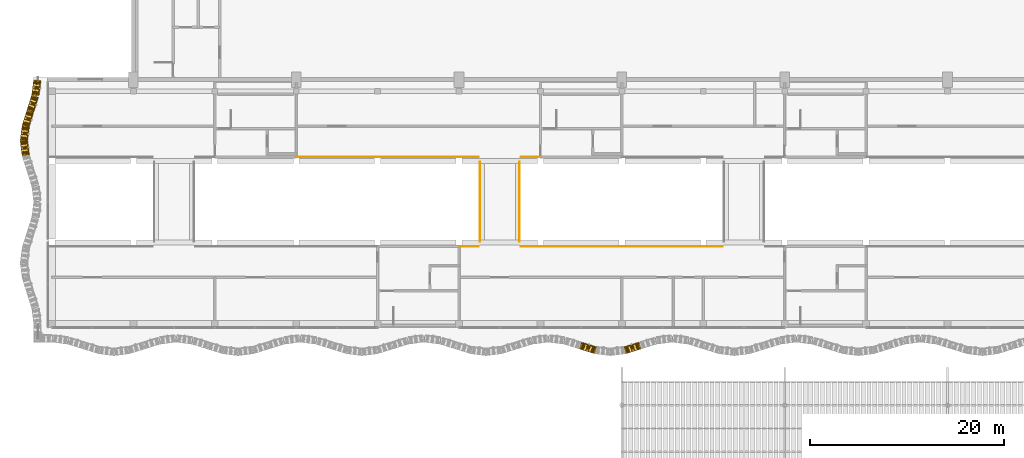
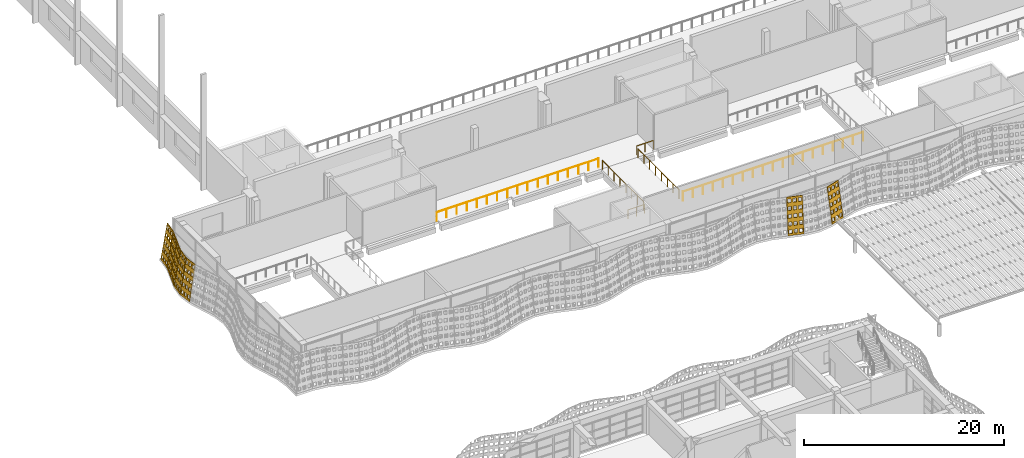
# One storey, part 135 of 162: 7 coverings, 6 railings.
"""IFC4 building model written with IfcOpenShell, lengths in metres."""

import ifcopenshell
import ifcopenshell.guid

model = None  # the IFC model being written
_history = None  # IfcOwnerHistory: only IFC2X3 demands one
_inside = {}  # id of a spatial element -> (the spatial element, [elements in it])
_under = {}  # id of a project, library or spatial element -> (it, [spatial elements below it])
_declared = {}  # id of a project -> (the project, [libraries it declares])
_typed = {}  # id of a type object -> (the type object, [elements of that type])
_made_of = {}  # id of a material, layer set ... -> (it, [elements and type objects made of it])


def new_model(schema):
    """Start an empty IFC model of exactly this schema.

    Asked for "IFC4X3", IfcOpenShell would pick the latest addendum, in which some entities
    have other attributes; the version numbers below select the first issue.
    IFC2X3 requires an IfcOwnerHistory on every rooted entity: one is made here for all.
    """
    global model, _history
    if schema == "IFC4X3":
        model = ifcopenshell.file(schema_version=(4, 3, 0, 0))
    else:
        model = ifcopenshell.file(schema=schema)
    _inside.clear()
    _under.clear()
    _declared.clear()
    _typed.clear()
    _made_of.clear()
    _history = None
    if model.schema == "IFC2X3":
        org = make("IfcOrganization", Name="unknown")
        user = make(
            "IfcPersonAndOrganization",
            ThePerson=make("IfcPerson", FamilyName="unknown"),
            TheOrganization=org,
        )
        app = make(
            "IfcApplication",
            ApplicationDeveloper=org,
            Version="unknown",
            ApplicationFullName="unknown",
            ApplicationIdentifier="unknown",
        )
        _history = make(
            "IfcOwnerHistory",
            OwningUser=user,
            OwningApplication=app,
            ChangeAction="ADDED",
            CreationDate=0,
        )
    return model


def make(cls, **values):
    """One entity of the class cls with the attributes given. An attribute that is None is left unset."""
    return model.create_entity(
        cls, **{name: value for name, value in values.items() if value is not None}
    )


def rooted(cls, **values):
    """An entity with a GlobalId (a new one), such as an element, a storey or a relation."""
    return make(cls, GlobalId=ifcopenshell.guid.new(), OwnerHistory=_history, **values)


def si_unit(unit_type, name, prefix=None):
    """IfcSIUnit, for example si_unit("LENGTHUNIT", "METRE", prefix="MILLI")."""
    return make("IfcSIUnit", UnitType=unit_type, Prefix=prefix, Name=name)


def assignment(units):
    """IfcUnitAssignment: the units of a project."""
    return None if units is None else make("IfcUnitAssignment", Units=units)


def point(xyz):
    """IfcCartesianPoint."""
    return None if xyz is None else make("IfcCartesianPoint", Coordinates=xyz)


def direction(xyz):
    """IfcDirection."""
    return None if xyz is None else make("IfcDirection", DirectionRatios=xyz)


def frame(location, z_axis=None, x_axis=None):
    """IfcAxis2Placement3D, a coordinate frame: its origin and axes. An axis left out is left unset."""
    return make(
        "IfcAxis2Placement3D",
        Location=point(location),
        Axis=direction(z_axis),
        RefDirection=direction(x_axis),
    )


def frame_2d(location, x_axis=None):
    """IfcAxis2Placement2D, a coordinate frame in the plane: its origin and x axis."""
    return make(
        "IfcAxis2Placement2D", Location=point(location), RefDirection=direction(x_axis)
    )


def origin():
    """The frame at (0, 0, 0) with its axes left unset."""
    return frame((0.0, 0.0, 0.0))


def origin_2d():
    """The frame at (0, 0) in the plane with its x axis left unset."""
    return frame_2d((0.0, 0.0))


def place(relative_to, where):
    """IfcLocalPlacement: puts the frame where relative to a parent placement (None: the world)."""
    return make(
        "IfcLocalPlacement", PlacementRelTo=relative_to, RelativePlacement=where
    )


def context(
    kind, dimensions, precision=None, world=None, true_north=None, identifier=None
):
    """IfcGeometricRepresentationContext, for example the 3D "Model" context."""
    return make(
        "IfcGeometricRepresentationContext",
        ContextIdentifier=identifier,
        ContextType=kind,
        CoordinateSpaceDimension=dimensions,
        Precision=precision,
        WorldCoordinateSystem=world,
        TrueNorth=true_north,
    )


def subcontext(parent, identifier, kind, view, scale=None):
    """IfcGeometricRepresentationSubContext, for example "Body" below "Model"."""
    return make(
        "IfcGeometricRepresentationSubContext",
        ContextIdentifier=identifier,
        ContextType=kind,
        ParentContext=parent,
        TargetScale=scale,
        TargetView=view,
    )


def project(units=None, contexts=None):
    """IfcProject with its units and contexts."""
    return rooted(
        "IfcProject",
        Name="project",
        RepresentationContexts=contexts,
        UnitsInContext=assignment(units),
    )


def spatial(cls, under=None, at=None, **own):
    """A site, building, storey or space (cls), placed at a placement, below another one or the project."""
    s = rooted(cls, ObjectPlacement=at, **own)
    if under is not None:
        _under.setdefault(under.id(), (under, []))[1].append(s)
    return s


def polyline(points):
    """IfcPolyline through the points."""
    return make("IfcPolyline", Points=[point(p) for p in points])


def profile(cls, at=None, kind="AREA", **sizes):
    """A parametric profile (cls). Its sizes go by their IFC names, for example OverallWidth=200.0."""
    return make(cls, ProfileType=kind, Position=at, **sizes)


def circle(**sizes):
    """IfcCircleProfileDef."""
    return profile("IfcCircleProfileDef", **sizes)


def outline(outer, holes=None, kind="AREA"):
    """IfcArbitraryClosedProfileDef: a profile drawn as a closed curve; with holes, ...WithVoids."""
    if holes is None:
        return make("IfcArbitraryClosedProfileDef", ProfileType=kind, OuterCurve=outer)
    return make(
        "IfcArbitraryProfileDefWithVoids",
        ProfileType=kind,
        OuterCurve=outer,
        InnerCurves=holes,
    )


def extrude(swept, where, along, depth):
    """IfcExtrudedAreaSolid: the profile swept, set in the frame where, extruded along a direction by depth."""
    return make(
        "IfcExtrudedAreaSolid",
        SweptArea=swept,
        Position=where,
        ExtrudedDirection=direction(along),
        Depth=depth,
    )


def shape(context_of_items, identifier, shape_type, items):
    """IfcShapeRepresentation: the items that make up one representation, for example the "Body"."""
    return make(
        "IfcShapeRepresentation",
        ContextOfItems=context_of_items,
        RepresentationIdentifier=identifier,
        RepresentationType=shape_type,
        Items=items,
    )


def material(Name=None, Category=None):
    """IfcMaterial."""
    return make("IfcMaterial", Name=Name, Category=Category)


def layer(
    of_material, thickness, ventilated=None, Name=None, Category=None, Priority=None
):
    """IfcMaterialLayer: one layer of a wall or slab, of a material (None: an air gap)."""
    return make(
        "IfcMaterialLayer",
        Material=of_material,
        LayerThickness=thickness,
        IsVentilated=ventilated,
        Name=Name,
        Category=Category,
        Priority=Priority,
    )


def layer_set(layers, Name=None):
    """IfcMaterialLayerSet."""
    return make("IfcMaterialLayerSet", MaterialLayers=layers, LayerSetName=Name)


def made_of(thing, what):
    """Note that an element or type object is made of a material, layer set ...; save() writes the relation."""
    if what is not None:
        _made_of.setdefault(what.id(), (what, []))[1].append(thing)
    return thing


def type_object(cls, material=None, **own):
    """A type object (cls), such as IfcWallType, which elements share."""
    return made_of(rooted(cls, **own), material)


def element(
    cls,
    number,
    at=None,
    inside=None,
    cuts=None,
    type_object=None,
    material=None,
    context=None,
    identifier="Body",
    shape_type=None,
    held_by="IfcProductDefinitionShape",
    body=None,
    shapes=None,
    **own,
):
    """One element of the class cls, such as IfcWall. Its Tag is "e" and its number.

    at: its placement. inside: the storey or other place that contains it. cuts: it is an
    opening in that element (IfcRelVoidsElement). A single representation is given by context,
    identifier, shape_type and body (its items); several are given by shapes. held_by: the class
    of the entity that holds the representations. save() writes the other relations.
    """
    e = rooted(cls, Tag="e%d" % number, ObjectPlacement=at, **own)
    if body is not None:
        shapes = [shape(context, identifier, shape_type, body)]
    if shapes is not None:
        e.Representation = make(held_by, Representations=shapes)
    if inside is not None:
        _inside.setdefault(inside.id(), (inside, []))[1].append(e)
    if cuts is not None:
        rooted(
            "IfcRelVoidsElement", RelatingBuildingElement=cuts, RelatedOpeningElement=e
        )
    if type_object is not None:
        _typed.setdefault(type_object.id(), (type_object, []))[1].append(e)
    return made_of(e, material)


def aggregate(whole, parts):
    """IfcRelAggregates: a whole, such as a stair, and the parts it consists of."""
    return rooted("IfcRelAggregates", RelatingObject=whole, RelatedObjects=parts)


def save(model, path):
    """Write the relations noted so far, then the file.

    IfcRelAggregates (storeys below a building ...), IfcRelContainedInSpatialStructure (elements
    in a storey), IfcRelDefinesByType, IfcRelAssociatesMaterial and IfcRelDeclares: one each for
    every whole, place, type object, material and project.
    """
    for whole, parts in _under.values():
        aggregate(whole, parts)
    for where, things in _inside.values():
        rooted(
            "IfcRelContainedInSpatialStructure",
            RelatedElements=things,
            RelatingStructure=where,
        )
    for kind, things in _typed.values():
        rooted("IfcRelDefinesByType", RelatedObjects=things, RelatingType=kind)
    for what, things in _made_of.values():
        rooted("IfcRelAssociatesMaterial", RelatedObjects=things, RelatingMaterial=what)
    for by, libraries in _declared.values():
        rooted("IfcRelDeclares", RelatingContext=by, RelatedDefinitions=libraries)
    model.write(path)


model = new_model("IFC4")

# Units and contexts
model_context = context("Model", 3, precision=1e-05, world=origin(), true_north=direction((0.0, 1.0)))
body_context = subcontext(model_context, "Body", "Model", "MODEL_VIEW")
ifc_project = project(units=[si_unit("LENGTHUNIT", "METRE"), si_unit("AREAUNIT", "SQUARE_METRE"), si_unit("VOLUMEUNIT", "CUBIC_METRE"), si_unit("PLANEANGLEUNIT", "RADIAN"), si_unit("MASSUNIT", "GRAM", prefix="KILO")], contexts=[model_context])

# Site, building, storey
site_placement = place(None, origin())
site = spatial("IfcSite", under=ifc_project, at=site_placement, CompositionType="ELEMENT")
building_placement = place(site_placement, origin())
building = spatial("IfcBuilding", under=site, at=building_placement, Name="Rain Tree Exposition and Congress Centre", CompositionType="ELEMENT")
storey_placement = place(building_placement, frame((0.0, 0.0, 6.0)))
storey = spatial("IfcBuildingStorey", under=building, at=storey_placement, Name="L01", CompositionType="ELEMENT", Elevation=6.0)

# Railings
ifc_material_1 = material(Name="Aluminium and glass balustrade", Category="aluminium")
railing_type = type_object("IfcRailingType", Name="Concourse guard 1100", PredefinedType="GUARDRAIL", material=ifc_material_1)
railing_1_placement = place(storey_placement, frame((42.10009765625, 83.60009765625, 0.0)))
element("IfcRailing", 1, at=railing_1_placement, inside=storey, type_object=railing_type, Name="Concourse promenade guard 3", PredefinedType="GUARDRAIL", context=body_context, shape_type="SweptSolid", body=[
    extrude(circle(Radius=0.02392578125, at=origin_2d()), frame((0.0, 0.0, 1.076171875), z_axis=(1.0, 0.0, 0.0), x_axis=(0.0, 1.0, 0.0)), (0.0, 0.0, 1.0), 1.89990234375),
    extrude(circle(Radius=0.02099609375, at=origin_2d()), origin(), (0.0, 0.0, 1.0), 1.052001953125),
    extrude(circle(Radius=0.02099609375, at=origin_2d()), frame((0.949951171875, 0.0, 0.0)), (0.0, 0.0, 1.0), 1.052001953125),
    extrude(circle(Radius=0.02099609375, at=origin_2d()), frame((1.89990234375, 0.0, 0.0)), (0.0, 0.0, 1.0), 1.052001953125),
])
railing_2_placement = place(storey_placement, frame((48.39990234375, 83.60009765625, 0.0)))
element("IfcRailing", 2, at=railing_2_placement, inside=storey, type_object=railing_type, Name="Concourse promenade guard 4", PredefinedType="GUARDRAIL", context=body_context, shape_type="SweptSolid", body=[
    extrude(circle(Radius=0.02392578125, at=origin_2d()), frame((0.0, 0.0, 1.076171875), z_axis=(1.0, 0.0, 0.0), x_axis=(0.0, 1.0, 0.0)), (0.0, 0.0, 1.0), 20.800048828125),
    extrude(circle(Radius=0.02099609375, at=origin_2d()), origin(), (0.0, 0.0, 1.0), 1.052001953125),
    extrude(circle(Radius=0.02099609375, at=origin_2d()), frame((1.155517578125, 0.0, 0.0)), (0.0, 0.0, 1.0), 1.052001953125),
    extrude(circle(Radius=0.02099609375, at=origin_2d()), frame((2.31103515625, 0.0, 0.0)), (0.0, 0.0, 1.0), 1.052001953125),
    extrude(circle(Radius=0.02099609375, at=origin_2d()), frame((3.466796875, 0.0, 0.0)), (0.0, 0.0, 1.0), 1.052001953125),
    extrude(circle(Radius=0.02099609375, at=origin_2d()), frame((4.622314453125, 0.0, 0.0)), (0.0, 0.0, 1.0), 1.052001953125),
    extrude(circle(Radius=0.02099609375, at=origin_2d()), frame((5.77783203125, 0.0, 0.0)), (0.0, 0.0, 1.0), 1.052001953125),
    extrude(circle(Radius=0.02099609375, at=origin_2d()), frame((6.933349609375, 0.0, 0.0)), (0.0, 0.0, 1.0), 1.052001953125),
    extrude(circle(Radius=0.02099609375, at=origin_2d()), frame((8.0888671875, 0.0, 0.0)), (0.0, 0.0, 1.0), 1.052001953125),
    extrude(circle(Radius=0.02099609375, at=origin_2d()), frame((9.244384765625, 0.0, 0.0)), (0.0, 0.0, 1.0), 1.052001953125),
    extrude(circle(Radius=0.02099609375, at=origin_2d()), frame((10.39990234375, 0.0, 0.0)), (0.0, 0.0, 1.0), 1.052001953125),
    extrude(circle(Radius=0.02099609375, at=origin_2d()), frame((11.5556640625, 0.0, 0.0)), (0.0, 0.0, 1.0), 1.052001953125),
    extrude(circle(Radius=0.02099609375, at=origin_2d()), frame((12.711181640625, 0.0, 0.0)), (0.0, 0.0, 1.0), 1.052001953125),
    extrude(circle(Radius=0.02099609375, at=origin_2d()), frame((13.86669921875, 0.0, 0.0)), (0.0, 0.0, 1.0), 1.052001953125),
    extrude(circle(Radius=0.02099609375, at=origin_2d()), frame((15.022216796875, 0.0, 0.0)), (0.0, 0.0, 1.0), 1.052001953125),
    extrude(circle(Radius=0.02099609375, at=origin_2d()), frame((16.177734375, 0.0, 0.0)), (0.0, 0.0, 1.0), 1.052001953125),
    extrude(circle(Radius=0.02099609375, at=origin_2d()), frame((17.33349609375, 0.0, 0.0)), (0.0, 0.0, 1.0), 1.052001953125),
    extrude(circle(Radius=0.02099609375, at=origin_2d()), frame((18.489013671875, 0.0, 0.0)), (0.0, 0.0, 1.0), 1.052001953125),
    extrude(circle(Radius=0.02099609375, at=origin_2d()), frame((19.64453125, 0.0, 0.0)), (0.0, 0.0, 1.0), 1.052001953125),
    extrude(circle(Radius=0.02099609375, at=origin_2d()), frame((20.800048828125, 0.0, 0.0)), (0.0, 0.0, 1.0), 1.052001953125),
])
railing_3_placement = place(storey_placement, frame((25.300048828125, 92.800048828125, 0.0)))
element("IfcRailing", 3, at=railing_3_placement, inside=storey, type_object=railing_type, Name="Concourse promenade guard 16", PredefinedType="GUARDRAIL", context=body_context, shape_type="SweptSolid", body=[
    extrude(circle(Radius=0.02392578125, at=origin_2d()), frame((0.0, 0.0, 1.076171875), z_axis=(1.0, 0.0, 0.0), x_axis=(0.0, 1.0, 0.0)), (0.0, 0.0, 1.0), 18.699951171875),
    extrude(circle(Radius=0.02099609375, at=origin_2d()), origin(), (0.0, 0.0, 1.0), 1.052001953125),
    extrude(circle(Radius=0.02099609375, at=origin_2d()), frame((1.168701171875, 0.0, 0.0)), (0.0, 0.0, 1.0), 1.052001953125),
    extrude(circle(Radius=0.02099609375, at=origin_2d()), frame((2.33740234375, 0.0, 0.0)), (0.0, 0.0, 1.0), 1.052001953125),
    extrude(circle(Radius=0.02099609375, at=origin_2d()), frame((3.50634765625, 0.0, 0.0)), (0.0, 0.0, 1.0), 1.052001953125),
    extrude(circle(Radius=0.02099609375, at=origin_2d()), frame((4.675048828125, 0.0, 0.0)), (0.0, 0.0, 1.0), 1.052001953125),
    extrude(circle(Radius=0.02099609375, at=origin_2d()), frame((5.84375, 0.0, 0.0)), (0.0, 0.0, 1.0), 1.052001953125),
    extrude(circle(Radius=0.02099609375, at=origin_2d()), frame((7.012451171875, 0.0, 0.0)), (0.0, 0.0, 1.0), 1.052001953125),
    extrude(circle(Radius=0.02099609375, at=origin_2d()), frame((8.18115234375, 0.0, 0.0)), (0.0, 0.0, 1.0), 1.052001953125),
    extrude(circle(Radius=0.02099609375, at=origin_2d()), frame((9.35009765625, 0.0, 0.0)), (0.0, 0.0, 1.0), 1.052001953125),
    extrude(circle(Radius=0.02099609375, at=origin_2d()), frame((10.518798828125, 0.0, 0.0)), (0.0, 0.0, 1.0), 1.052001953125),
    extrude(circle(Radius=0.02099609375, at=origin_2d()), frame((11.6875, 0.0, 0.0)), (0.0, 0.0, 1.0), 1.052001953125),
    extrude(circle(Radius=0.02099609375, at=origin_2d()), frame((12.856201171875, 0.0, 0.0)), (0.0, 0.0, 1.0), 1.052001953125),
    extrude(circle(Radius=0.02099609375, at=origin_2d()), frame((14.02490234375, 0.0, 0.0)), (0.0, 0.0, 1.0), 1.052001953125),
    extrude(circle(Radius=0.02099609375, at=origin_2d()), frame((15.193603515625, 0.0, 0.0)), (0.0, 0.0, 1.0), 1.052001953125),
    extrude(circle(Radius=0.02099609375, at=origin_2d()), frame((16.362548828125, 0.0, 0.0)), (0.0, 0.0, 1.0), 1.052001953125),
    extrude(circle(Radius=0.02099609375, at=origin_2d()), frame((17.53125, 0.0, 0.0)), (0.0, 0.0, 1.0), 1.052001953125),
    extrude(circle(Radius=0.02099609375, at=origin_2d()), frame((18.699951171875, 0.0, 0.0)), (0.0, 0.0, 1.0), 1.052001953125),
])
railing_4_placement = place(storey_placement, frame((48.39990234375, 92.800048828125, 0.0)))
element("IfcRailing", 4, at=railing_4_placement, inside=storey, type_object=railing_type, Name="Concourse promenade guard 17", PredefinedType="GUARDRAIL", context=body_context, shape_type="SweptSolid", body=[
    extrude(circle(Radius=0.02392578125, at=origin_2d()), frame((0.0, 0.0, 1.076171875), z_axis=(1.0, 0.0, 0.0), x_axis=(0.0, 1.0, 0.0)), (0.0, 0.0, 1.0), 1.900146484375),
    extrude(circle(Radius=0.02099609375, at=origin_2d()), origin(), (0.0, 0.0, 1.0), 1.052001953125),
    extrude(circle(Radius=0.02099609375, at=origin_2d()), frame((0.9501953125, 0.0, 0.0)), (0.0, 0.0, 1.0), 1.052001953125),
    extrude(circle(Radius=0.02099609375, at=origin_2d()), frame((1.900146484375, 0.0, 0.0)), (0.0, 0.0, 1.0), 1.052001953125),
])
for number, where, name in (
    (5, (44.14990234375, 84.10009765625, 0.0), "Concourse bridge guard 2.1"),
    (6, (48.25, 84.10009765625, 0.0), "Concourse bridge guard 2.2"),
):
    element("IfcRailing", number, at=place(storey_placement, frame(where)), inside=storey, type_object=railing_type, Name=name, PredefinedType="GUARDRAIL", context=body_context, shape_type="SweptSolid", body=[
        extrude(circle(Radius=0.02392578125, at=origin_2d()), frame((0.0, 0.0, 1.076171875), z_axis=(0.0, 1.0, 0.0), x_axis=(-1.0, 0.0, 0.0)), (0.0, 0.0, 1.0), 8.199951171875),
        extrude(circle(Radius=0.02099609375, at=origin_2d()), origin(), (0.0, 0.0, 1.0), 1.052001953125),
        extrude(circle(Radius=0.02099609375, at=origin_2d()), frame((0.0, 1.17138671875, 0.0)), (0.0, 0.0, 1.0), 1.052001953125),
        extrude(circle(Radius=0.02099609375, at=origin_2d()), frame((0.0, 2.3427734375, 0.0)), (0.0, 0.0, 1.0), 1.052001953125),
        extrude(circle(Radius=0.02099609375, at=origin_2d()), frame((0.0, 3.51416015625, 0.0)), (0.0, 0.0, 1.0), 1.052001953125),
        extrude(circle(Radius=0.02099609375, at=origin_2d()), frame((0.0, 4.685791015625, 0.0)), (0.0, 0.0, 1.0), 1.052001953125),
        extrude(circle(Radius=0.02099609375, at=origin_2d()), frame((0.0, 5.857177734375, 0.0)), (0.0, 0.0, 1.0), 1.052001953125),
        extrude(circle(Radius=0.02099609375, at=origin_2d()), frame((0.0, 7.028564453125, 0.0)), (0.0, 0.0, 1.0), 1.052001953125),
        extrude(circle(Radius=0.02099609375, at=origin_2d()), frame((0.0, 8.199951171875, 0.0)), (0.0, 0.0, 1.0), 1.052001953125),
    ])

# Coverings
ifc_material_2 = material(Name="Perforated terracotta", Category="masonry")
ifc_layer = layer(ifc_material_2, 0.080078125)
ifc_layer_set = layer_set([ifc_layer], Name="Perforated terracotta")
covering_type = type_object("IfcCoveringType", Name="Terracotta screen 80", PredefinedType="CLADDING", material=ifc_layer_set)
covering_1_placement = place(storey_placement, frame((54.400634765625, 73.001708984375, 0.0126953125), z_axis=(0.290138898064, 0.943714942124, -0.158812870519), x_axis=(-0.955845867297, 0.293868470528, 0.0)))
element("IfcCovering", 7, at=covering_1_placement, inside=storey, type_object=covering_type, Name="concourse/screen/L01/035", PredefinedType="CLADDING", context=body_context, shape_type="SweptSolid", body=[
    extrude(outline(polyline([(-1.65283203125, 0.0), (-1.65283203125, 4.29150390625), (-0.014892578125, 4.29150390625), (-0.014892578125, 0.0), (-1.65283203125, 0.0)]), holes=[polyline([(-0.11865234375, 0.221435546875), (-0.11865234375, 0.63671875), (-0.457275390625, 0.63671875), (-0.457275390625, 0.221435546875), (-0.11865234375, 0.221435546875)]), polyline([(-0.11865234375, 1.079833984375), (-0.11865234375, 1.4951171875), (-0.457275390625, 1.4951171875), (-0.457275390625, 1.079833984375), (-0.11865234375, 1.079833984375)]), polyline([(-0.11865234375, 1.93798828125), (-0.11865234375, 2.353271484375), (-0.457275390625, 2.353271484375), (-0.457275390625, 1.93798828125), (-0.11865234375, 1.93798828125)]), polyline([(-0.11865234375, 2.79638671875), (-0.11865234375, 3.211669921875), (-0.457275390625, 3.211669921875), (-0.457275390625, 2.79638671875), (-0.11865234375, 2.79638671875)]), polyline([(-0.11865234375, 3.654541015625), (-0.11865234375, 4.06982421875), (-0.457275390625, 4.06982421875), (-0.457275390625, 3.654541015625), (-0.11865234375, 3.654541015625)]), polyline([(-0.664794921875, 0.221435546875), (-0.664794921875, 0.63671875), (-1.003173828125, 0.63671875), (-1.003173828125, 0.221435546875), (-0.664794921875, 0.221435546875)]), polyline([(-0.664794921875, 1.079833984375), (-0.664794921875, 1.4951171875), (-1.003173828125, 1.4951171875), (-1.003173828125, 1.079833984375), (-0.664794921875, 1.079833984375)]), polyline([(-0.664794921875, 1.93798828125), (-0.664794921875, 2.353271484375), (-1.003173828125, 2.353271484375), (-1.003173828125, 1.93798828125), (-0.664794921875, 1.93798828125)]), polyline([(-0.664794921875, 2.79638671875), (-0.664794921875, 3.211669921875), (-1.003173828125, 3.211669921875), (-1.003173828125, 2.79638671875), (-0.664794921875, 2.79638671875)]), polyline([(-0.664794921875, 3.654541015625), (-0.664794921875, 4.06982421875), (-1.003173828125, 4.06982421875), (-1.003173828125, 3.654541015625), (-0.664794921875, 3.654541015625)]), polyline([(-1.210693359375, 0.221435546875), (-1.210693359375, 0.63671875), (-1.54931640625, 0.63671875), (-1.54931640625, 0.221435546875), (-1.210693359375, 0.221435546875)]), polyline([(-1.210693359375, 1.079833984375), (-1.210693359375, 1.4951171875), (-1.54931640625, 1.4951171875), (-1.54931640625, 1.079833984375), (-1.210693359375, 1.079833984375)]), polyline([(-1.210693359375, 1.93798828125), (-1.210693359375, 2.353271484375), (-1.54931640625, 2.353271484375), (-1.54931640625, 1.93798828125), (-1.210693359375, 1.93798828125)]), polyline([(-1.210693359375, 2.79638671875), (-1.210693359375, 3.211669921875), (-1.54931640625, 3.211669921875), (-1.54931640625, 2.79638671875), (-1.210693359375, 2.79638671875)]), polyline([(-1.210693359375, 3.654541015625), (-1.210693359375, 4.06982421875), (-1.54931640625, 4.06982421875), (-1.54931640625, 3.654541015625), (-1.210693359375, 3.654541015625)])]), origin(), (0.0, 0.0, 1.0), 0.079833984375),
])
covering_2_placement = place(storey_placement, frame((59.199462890625, 72.506591796875, 0.0126953125), z_axis=(-0.292932171154, 0.942875425902, -0.158671592708), x_axis=(-0.954973588716, -0.296690823679, 0.0)))
element("IfcCovering", 8, at=covering_2_placement, inside=storey, type_object=covering_type, Name="concourse/screen/L01/038", PredefinedType="CLADDING", context=body_context, shape_type="SweptSolid", body=[
    extrude(outline(polyline([(-1.659912109375, 0.0), (-1.659912109375, 4.29150390625), (-0.02197265625, 4.29150390625), (-0.02197265625, 0.0), (-1.659912109375, 0.0)]), holes=[polyline([(-0.125732421875, 0.221435546875), (-0.125732421875, 0.63671875), (-0.464111328125, 0.63671875), (-0.464111328125, 0.221435546875), (-0.125732421875, 0.221435546875)]), polyline([(-0.125732421875, 1.079833984375), (-0.125732421875, 1.4951171875), (-0.464111328125, 1.4951171875), (-0.464111328125, 1.079833984375), (-0.125732421875, 1.079833984375)]), polyline([(-0.125732421875, 1.93798828125), (-0.125732421875, 2.353271484375), (-0.464111328125, 2.353271484375), (-0.464111328125, 1.93798828125), (-0.125732421875, 1.93798828125)]), polyline([(-0.125732421875, 2.79638671875), (-0.125732421875, 3.211669921875), (-0.464111328125, 3.211669921875), (-0.464111328125, 2.79638671875), (-0.125732421875, 2.79638671875)]), polyline([(-0.125732421875, 3.654541015625), (-0.125732421875, 4.06982421875), (-0.464111328125, 4.06982421875), (-0.464111328125, 3.654541015625), (-0.125732421875, 3.654541015625)]), polyline([(-0.671630859375, 0.221435546875), (-0.671630859375, 0.63671875), (-1.010009765625, 0.63671875), (-1.010009765625, 0.221435546875), (-0.671630859375, 0.221435546875)]), polyline([(-0.671630859375, 1.079833984375), (-0.671630859375, 1.4951171875), (-1.010009765625, 1.4951171875), (-1.010009765625, 1.079833984375), (-0.671630859375, 1.079833984375)]), polyline([(-0.671630859375, 1.93798828125), (-0.671630859375, 2.353271484375), (-1.010009765625, 2.353271484375), (-1.010009765625, 1.93798828125), (-0.671630859375, 1.93798828125)]), polyline([(-0.671630859375, 2.79638671875), (-0.671630859375, 3.211669921875), (-1.010009765625, 3.211669921875), (-1.010009765625, 2.79638671875), (-0.671630859375, 2.79638671875)]), polyline([(-0.671630859375, 3.654541015625), (-0.671630859375, 4.06982421875), (-1.010009765625, 4.06982421875), (-1.010009765625, 3.654541015625), (-0.671630859375, 3.654541015625)]), polyline([(-1.217529296875, 0.221435546875), (-1.217529296875, 0.63671875), (-1.55615234375, 0.63671875), (-1.55615234375, 0.221435546875), (-1.217529296875, 0.221435546875)]), polyline([(-1.217529296875, 1.079833984375), (-1.217529296875, 1.4951171875), (-1.55615234375, 1.4951171875), (-1.55615234375, 1.079833984375), (-1.217529296875, 1.079833984375)]), polyline([(-1.217529296875, 1.93798828125), (-1.217529296875, 2.353271484375), (-1.55615234375, 2.353271484375), (-1.55615234375, 1.93798828125), (-1.217529296875, 1.93798828125)]), polyline([(-1.217529296875, 2.79638671875), (-1.217529296875, 3.211669921875), (-1.55615234375, 3.211669921875), (-1.55615234375, 2.79638671875), (-1.217529296875, 2.79638671875)]), polyline([(-1.217529296875, 3.654541015625), (-1.217529296875, 4.06982421875), (-1.55615234375, 4.06982421875), (-1.55615234375, 3.654541015625), (-1.217529296875, 3.654541015625)])]), origin(), (0.0, 0.0, 1.0), 0.080078125),
])
covering_3_placement = place(storey_placement, frame((-1.898193359375, 100.7998046875, 0.01318359375), z_axis=(0.978036007662, -0.127967328105, -0.16452942185), x_axis=(0.129735338481, 0.991548658387, 0.0)))
element("IfcCovering", 9, at=covering_3_placement, inside=storey, type_object=covering_type, Name="concourse/screen/L01/192", PredefinedType="CLADDING", context=body_context, shape_type="SweptSolid", body=[
    extrude(outline(polyline([(-1.5732421875, 0.0), (-1.5732421875, 4.295166015625), (-0.014892578125, 4.295166015625), (-0.014892578125, 0.0), (-1.5732421875, 0.0)]), holes=[polyline([(-0.11376953125, 0.2216796875), (-0.11376953125, 0.63720703125), (-0.435791015625, 0.63720703125), (-0.435791015625, 0.2216796875), (-0.11376953125, 0.2216796875)]), polyline([(-0.11376953125, 1.080810546875), (-0.11376953125, 1.496337890625), (-0.435791015625, 1.496337890625), (-0.435791015625, 1.080810546875), (-0.11376953125, 1.080810546875)]), polyline([(-0.11376953125, 1.939697265625), (-0.11376953125, 2.35546875), (-0.435791015625, 2.35546875), (-0.435791015625, 1.939697265625), (-0.11376953125, 1.939697265625)]), polyline([(-0.11376953125, 2.798583984375), (-0.11376953125, 3.21435546875), (-0.435791015625, 3.21435546875), (-0.435791015625, 2.798583984375), (-0.11376953125, 2.798583984375)]), polyline([(-0.11376953125, 3.65771484375), (-0.11376953125, 4.073486328125), (-0.435791015625, 4.073486328125), (-0.435791015625, 3.65771484375), (-0.11376953125, 3.65771484375)]), polyline([(-0.633056640625, 0.2216796875), (-0.633056640625, 0.63720703125), (-0.955078125, 0.63720703125), (-0.955078125, 0.2216796875), (-0.633056640625, 0.2216796875)]), polyline([(-0.633056640625, 1.080810546875), (-0.633056640625, 1.496337890625), (-0.955078125, 1.496337890625), (-0.955078125, 1.080810546875), (-0.633056640625, 1.080810546875)]), polyline([(-0.633056640625, 1.939697265625), (-0.633056640625, 2.35546875), (-0.955078125, 2.35546875), (-0.955078125, 1.939697265625), (-0.633056640625, 1.939697265625)]), polyline([(-0.633056640625, 2.798583984375), (-0.633056640625, 3.21435546875), (-0.955078125, 3.21435546875), (-0.955078125, 2.798583984375), (-0.633056640625, 2.798583984375)]), polyline([(-0.633056640625, 3.65771484375), (-0.633056640625, 4.073486328125), (-0.955078125, 4.073486328125), (-0.955078125, 3.65771484375), (-0.633056640625, 3.65771484375)]), polyline([(-1.152587890625, 0.2216796875), (-1.152587890625, 0.63720703125), (-1.474609375, 0.63720703125), (-1.474609375, 0.2216796875), (-1.152587890625, 0.2216796875)]), polyline([(-1.152587890625, 1.080810546875), (-1.152587890625, 1.496337890625), (-1.474609375, 1.496337890625), (-1.474609375, 1.080810546875), (-1.152587890625, 1.080810546875)]), polyline([(-1.152587890625, 1.939697265625), (-1.152587890625, 2.35546875), (-1.474609375, 2.35546875), (-1.474609375, 1.939697265625), (-1.152587890625, 1.939697265625)]), polyline([(-1.152587890625, 2.798583984375), (-1.152587890625, 3.21435546875), (-1.474609375, 3.21435546875), (-1.474609375, 2.798583984375), (-1.152587890625, 2.798583984375)]), polyline([(-1.152587890625, 3.65771484375), (-1.152587890625, 4.073486328125), (-1.474609375, 4.073486328125), (-1.474609375, 3.65771484375), (-1.152587890625, 3.65771484375)])]), origin(), (0.0, 0.0, 1.0), 0.080078125),
])
covering_4_placement = place(storey_placement, frame((-2.103515625, 99.224365234375, 0.0126953125), z_axis=(0.942029390639, -0.295717964052, -0.158529217842), x_axis=(0.29950542383, 0.954094597562, 0.0)))
element("IfcCovering", 10, at=covering_4_placement, inside=storey, type_object=covering_type, Name="concourse/screen/L01/193", PredefinedType="CLADDING", context=body_context, shape_type="SweptSolid", body=[
    extrude(outline(polyline([(-1.635986328125, 0.0), (-1.635986328125, 4.291259765625), (-0.014892578125, 4.291259765625), (-0.014892578125, 0.0), (-1.635986328125, 0.0)]), holes=[polyline([(-0.11767578125, 0.221435546875), (-0.11767578125, 0.63671875), (-0.45263671875, 0.63671875), (-0.45263671875, 0.221435546875), (-0.11767578125, 0.221435546875)]), polyline([(-0.11767578125, 1.07958984375), (-0.11767578125, 1.4951171875), (-0.45263671875, 1.4951171875), (-0.45263671875, 1.07958984375), (-0.11767578125, 1.07958984375)]), polyline([(-0.11767578125, 1.93798828125), (-0.11767578125, 2.353271484375), (-0.45263671875, 2.353271484375), (-0.45263671875, 1.93798828125), (-0.11767578125, 1.93798828125)]), polyline([(-0.11767578125, 2.796142578125), (-0.11767578125, 3.21142578125), (-0.45263671875, 3.21142578125), (-0.45263671875, 2.796142578125), (-0.11767578125, 2.796142578125)]), polyline([(-0.11767578125, 3.654541015625), (-0.11767578125, 4.06982421875), (-0.45263671875, 4.06982421875), (-0.45263671875, 3.654541015625), (-0.11767578125, 3.654541015625)]), polyline([(-0.657958984375, 0.221435546875), (-0.657958984375, 0.63671875), (-0.992919921875, 0.63671875), (-0.992919921875, 0.221435546875), (-0.657958984375, 0.221435546875)]), polyline([(-0.657958984375, 1.07958984375), (-0.657958984375, 1.4951171875), (-0.992919921875, 1.4951171875), (-0.992919921875, 1.07958984375), (-0.657958984375, 1.07958984375)]), polyline([(-0.657958984375, 1.93798828125), (-0.657958984375, 2.353271484375), (-0.992919921875, 2.353271484375), (-0.992919921875, 1.93798828125), (-0.657958984375, 1.93798828125)]), polyline([(-0.657958984375, 2.796142578125), (-0.657958984375, 3.21142578125), (-0.992919921875, 3.21142578125), (-0.992919921875, 2.796142578125), (-0.657958984375, 2.796142578125)]), polyline([(-0.657958984375, 3.654541015625), (-0.657958984375, 4.06982421875), (-0.992919921875, 4.06982421875), (-0.992919921875, 3.654541015625), (-0.657958984375, 3.654541015625)]), polyline([(-1.1982421875, 0.221435546875), (-1.1982421875, 0.63671875), (-1.533203125, 0.63671875), (-1.533203125, 0.221435546875), (-1.1982421875, 0.221435546875)]), polyline([(-1.1982421875, 1.07958984375), (-1.1982421875, 1.4951171875), (-1.533203125, 1.4951171875), (-1.533203125, 1.07958984375), (-1.1982421875, 1.07958984375)]), polyline([(-1.1982421875, 1.93798828125), (-1.1982421875, 2.353271484375), (-1.533203125, 2.353271484375), (-1.533203125, 1.93798828125), (-1.1982421875, 1.93798828125)]), polyline([(-1.1982421875, 2.796142578125), (-1.1982421875, 3.21142578125), (-1.533203125, 3.21142578125), (-1.533203125, 2.796142578125), (-1.1982421875, 2.796142578125)]), polyline([(-1.1982421875, 3.654541015625), (-1.1982421875, 4.06982421875), (-1.533203125, 4.06982421875), (-1.533203125, 3.654541015625), (-1.1982421875, 3.654541015625)])]), origin(), (0.0, 0.0, 1.0), 0.080078125),
])
covering_5_placement = place(storey_placement, frame((-2.598388671875, 97.6494140625, 0.0126953125), z_axis=(0.942029390639, -0.295717964052, -0.158529217842), x_axis=(0.29950542383, 0.954094597562, 0.0)))
element("IfcCovering", 11, at=covering_5_placement, inside=storey, type_object=covering_type, Name="concourse/screen/L01/194", PredefinedType="CLADDING", context=body_context, shape_type="SweptSolid", body=[
    extrude(outline(polyline([(-1.62890625, 0.0), (-1.62890625, 4.291259765625), (-0.014892578125, 4.291259765625), (-0.014892578125, 0.0), (-1.62890625, 0.0)]), holes=[polyline([(-0.1171875, 0.221435546875), (-0.1171875, 0.63671875), (-0.45068359375, 0.63671875), (-0.45068359375, 0.221435546875), (-0.1171875, 0.221435546875)]), polyline([(-0.1171875, 1.07958984375), (-0.1171875, 1.4951171875), (-0.45068359375, 1.4951171875), (-0.45068359375, 1.07958984375), (-0.1171875, 1.07958984375)]), polyline([(-0.1171875, 1.93798828125), (-0.1171875, 2.353271484375), (-0.45068359375, 2.353271484375), (-0.45068359375, 1.93798828125), (-0.1171875, 1.93798828125)]), polyline([(-0.1171875, 2.796142578125), (-0.1171875, 3.21142578125), (-0.45068359375, 3.21142578125), (-0.45068359375, 2.796142578125), (-0.1171875, 2.796142578125)]), polyline([(-0.1171875, 3.654541015625), (-0.1171875, 4.06982421875), (-0.45068359375, 4.06982421875), (-0.45068359375, 3.654541015625), (-0.1171875, 3.654541015625)]), polyline([(-0.6552734375, 0.221435546875), (-0.6552734375, 0.63671875), (-0.98876953125, 0.63671875), (-0.98876953125, 0.221435546875), (-0.6552734375, 0.221435546875)]), polyline([(-0.6552734375, 1.07958984375), (-0.6552734375, 1.4951171875), (-0.98876953125, 1.4951171875), (-0.98876953125, 1.07958984375), (-0.6552734375, 1.07958984375)]), polyline([(-0.6552734375, 1.93798828125), (-0.6552734375, 2.353271484375), (-0.98876953125, 2.353271484375), (-0.98876953125, 1.93798828125), (-0.6552734375, 1.93798828125)]), polyline([(-0.6552734375, 2.796142578125), (-0.6552734375, 3.21142578125), (-0.98876953125, 3.21142578125), (-0.98876953125, 2.796142578125), (-0.6552734375, 2.796142578125)]), polyline([(-0.6552734375, 3.654541015625), (-0.6552734375, 4.06982421875), (-0.98876953125, 4.06982421875), (-0.98876953125, 3.654541015625), (-0.6552734375, 3.654541015625)]), polyline([(-1.193115234375, 0.221435546875), (-1.193115234375, 0.63671875), (-1.526611328125, 0.63671875), (-1.526611328125, 0.221435546875), (-1.193115234375, 0.221435546875)]), polyline([(-1.193115234375, 1.07958984375), (-1.193115234375, 1.4951171875), (-1.526611328125, 1.4951171875), (-1.526611328125, 1.07958984375), (-1.193115234375, 1.07958984375)]), polyline([(-1.193115234375, 1.93798828125), (-1.193115234375, 2.353271484375), (-1.526611328125, 2.353271484375), (-1.526611328125, 1.93798828125), (-1.193115234375, 1.93798828125)]), polyline([(-1.193115234375, 2.796142578125), (-1.193115234375, 3.21142578125), (-1.526611328125, 3.21142578125), (-1.526611328125, 2.796142578125), (-1.193115234375, 2.796142578125)]), polyline([(-1.193115234375, 3.654541015625), (-1.193115234375, 4.06982421875), (-1.526611328125, 4.06982421875), (-1.526611328125, 3.654541015625), (-1.193115234375, 3.654541015625)])]), origin(), (0.0, 0.0, 1.0), 0.080078125),
])
covering_6_placement = place(storey_placement, frame((-3.093017578125, 96.07470703125, 0.01318359375), z_axis=(0.9779030419, -0.128349774249, -0.165021138321), x_axis=(0.130133906157, 0.991496427865, 0.0)))
element("IfcCovering", 12, at=covering_6_placement, inside=storey, type_object=covering_type, Name="concourse/screen/L01/195", PredefinedType="CLADDING", context=body_context, shape_type="SweptSolid", body=[
    extrude(outline(polyline([(-1.56298828125, 0.0), (-1.56298828125, 4.295166015625), (-0.02197265625, 4.295166015625), (-0.02197265625, 0.0), (-1.56298828125, 0.0)]), holes=[polyline([(-0.11962890625, 0.2216796875), (-0.11962890625, 0.63720703125), (-0.43798828125, 0.63720703125), (-0.43798828125, 0.2216796875), (-0.11962890625, 0.2216796875)]), polyline([(-0.11962890625, 1.080810546875), (-0.11962890625, 1.496337890625), (-0.43798828125, 1.496337890625), (-0.43798828125, 1.080810546875), (-0.11962890625, 1.080810546875)]), polyline([(-0.11962890625, 1.939697265625), (-0.11962890625, 2.35546875), (-0.43798828125, 2.35546875), (-0.43798828125, 1.939697265625), (-0.11962890625, 1.939697265625)]), polyline([(-0.11962890625, 2.798583984375), (-0.11962890625, 3.21435546875), (-0.43798828125, 3.21435546875), (-0.43798828125, 2.798583984375), (-0.11962890625, 2.798583984375)]), polyline([(-0.11962890625, 3.65771484375), (-0.11962890625, 4.073486328125), (-0.43798828125, 4.073486328125), (-0.43798828125, 3.65771484375), (-0.11962890625, 3.65771484375)]), polyline([(-0.63330078125, 0.2216796875), (-0.63330078125, 0.63720703125), (-0.95166015625, 0.63720703125), (-0.95166015625, 0.2216796875), (-0.63330078125, 0.2216796875)]), polyline([(-0.63330078125, 1.080810546875), (-0.63330078125, 1.496337890625), (-0.95166015625, 1.496337890625), (-0.95166015625, 1.080810546875), (-0.63330078125, 1.080810546875)]), polyline([(-0.63330078125, 1.939697265625), (-0.63330078125, 2.35546875), (-0.95166015625, 2.35546875), (-0.95166015625, 1.939697265625), (-0.63330078125, 1.939697265625)]), polyline([(-0.63330078125, 2.798583984375), (-0.63330078125, 3.21435546875), (-0.95166015625, 3.21435546875), (-0.95166015625, 2.798583984375), (-0.63330078125, 2.798583984375)]), polyline([(-0.63330078125, 3.65771484375), (-0.63330078125, 4.073486328125), (-0.95166015625, 4.073486328125), (-0.95166015625, 3.65771484375), (-0.63330078125, 3.65771484375)]), polyline([(-1.146728515625, 0.2216796875), (-1.146728515625, 0.63720703125), (-1.46533203125, 0.63720703125), (-1.46533203125, 0.2216796875), (-1.146728515625, 0.2216796875)]), polyline([(-1.146728515625, 1.080810546875), (-1.146728515625, 1.496337890625), (-1.46533203125, 1.496337890625), (-1.46533203125, 1.080810546875), (-1.146728515625, 1.080810546875)]), polyline([(-1.146728515625, 1.939697265625), (-1.146728515625, 2.35546875), (-1.46533203125, 2.35546875), (-1.46533203125, 1.939697265625), (-1.146728515625, 1.939697265625)]), polyline([(-1.146728515625, 2.798583984375), (-1.146728515625, 3.21435546875), (-1.46533203125, 3.21435546875), (-1.46533203125, 2.798583984375), (-1.146728515625, 2.798583984375)]), polyline([(-1.146728515625, 3.65771484375), (-1.146728515625, 4.073486328125), (-1.46533203125, 4.073486328125), (-1.46533203125, 3.65771484375), (-1.146728515625, 3.65771484375)])]), origin(), (0.0, 0.0, 1.0), 0.079833984375),
])
covering_7_placement = place(storey_placement, frame((-3.298095703125, 94.500244140625, 0.01318359375), z_axis=(0.9779030419, 0.128349774249, -0.165021138321), x_axis=(-0.130133906157, 0.991496427865, 0.0)))
element("IfcCovering", 13, at=covering_7_placement, inside=storey, type_object=covering_type, Name="concourse/screen/L01/196", PredefinedType="CLADDING", context=body_context, shape_type="SweptSolid", body=[
    extrude(outline(polyline([(-1.56640625, 0.0), (-1.56640625, 4.295166015625), (-0.025390625, 4.295166015625), (-0.025390625, 0.0), (-1.56640625, 0.0)]), holes=[polyline([(-0.123046875, 0.2216796875), (-0.123046875, 0.63720703125), (-0.44140625, 0.63720703125), (-0.44140625, 0.2216796875), (-0.123046875, 0.2216796875)]), polyline([(-0.123046875, 1.080810546875), (-0.123046875, 1.496337890625), (-0.44140625, 1.496337890625), (-0.44140625, 1.080810546875), (-0.123046875, 1.080810546875)]), polyline([(-0.123046875, 1.939697265625), (-0.123046875, 2.35546875), (-0.44140625, 2.35546875), (-0.44140625, 1.939697265625), (-0.123046875, 1.939697265625)]), polyline([(-0.123046875, 2.798583984375), (-0.123046875, 3.21435546875), (-0.44140625, 3.21435546875), (-0.44140625, 2.798583984375), (-0.123046875, 2.798583984375)]), polyline([(-0.123046875, 3.65771484375), (-0.123046875, 4.073486328125), (-0.44140625, 4.073486328125), (-0.44140625, 3.65771484375), (-0.123046875, 3.65771484375)]), polyline([(-0.63671875, 0.2216796875), (-0.63671875, 0.63720703125), (-0.955078125, 0.63720703125), (-0.955078125, 0.2216796875), (-0.63671875, 0.2216796875)]), polyline([(-0.63671875, 1.080810546875), (-0.63671875, 1.496337890625), (-0.955078125, 1.496337890625), (-0.955078125, 1.080810546875), (-0.63671875, 1.080810546875)]), polyline([(-0.63671875, 1.939697265625), (-0.63671875, 2.35546875), (-0.955078125, 2.35546875), (-0.955078125, 1.939697265625), (-0.63671875, 1.939697265625)]), polyline([(-0.63671875, 2.798583984375), (-0.63671875, 3.21435546875), (-0.955078125, 3.21435546875), (-0.955078125, 2.798583984375), (-0.63671875, 2.798583984375)]), polyline([(-0.63671875, 3.65771484375), (-0.63671875, 4.073486328125), (-0.955078125, 4.073486328125), (-0.955078125, 3.65771484375), (-0.63671875, 3.65771484375)]), polyline([(-1.150146484375, 0.2216796875), (-1.150146484375, 0.63720703125), (-1.46875, 0.63720703125), (-1.46875, 0.2216796875), (-1.150146484375, 0.2216796875)]), polyline([(-1.150146484375, 1.080810546875), (-1.150146484375, 1.496337890625), (-1.46875, 1.496337890625), (-1.46875, 1.080810546875), (-1.150146484375, 1.080810546875)]), polyline([(-1.150146484375, 1.939697265625), (-1.150146484375, 2.35546875), (-1.46875, 2.35546875), (-1.46875, 1.939697265625), (-1.150146484375, 1.939697265625)]), polyline([(-1.150146484375, 2.798583984375), (-1.150146484375, 3.21435546875), (-1.46875, 3.21435546875), (-1.46875, 2.798583984375), (-1.150146484375, 2.798583984375)]), polyline([(-1.150146484375, 3.65771484375), (-1.150146484375, 4.073486328125), (-1.46875, 4.073486328125), (-1.46875, 3.65771484375), (-1.150146484375, 3.65771484375)])]), origin(), (0.0, 0.0, 1.0), 0.079833984375),
])

save(model, "model.ifc")
